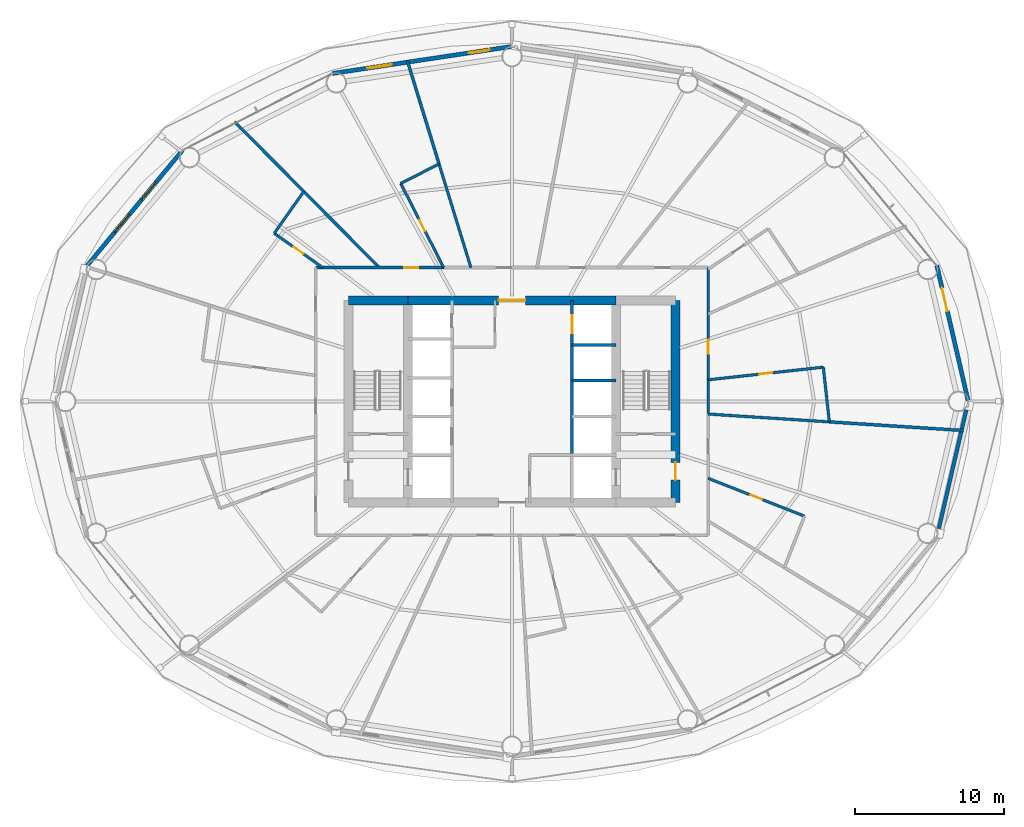
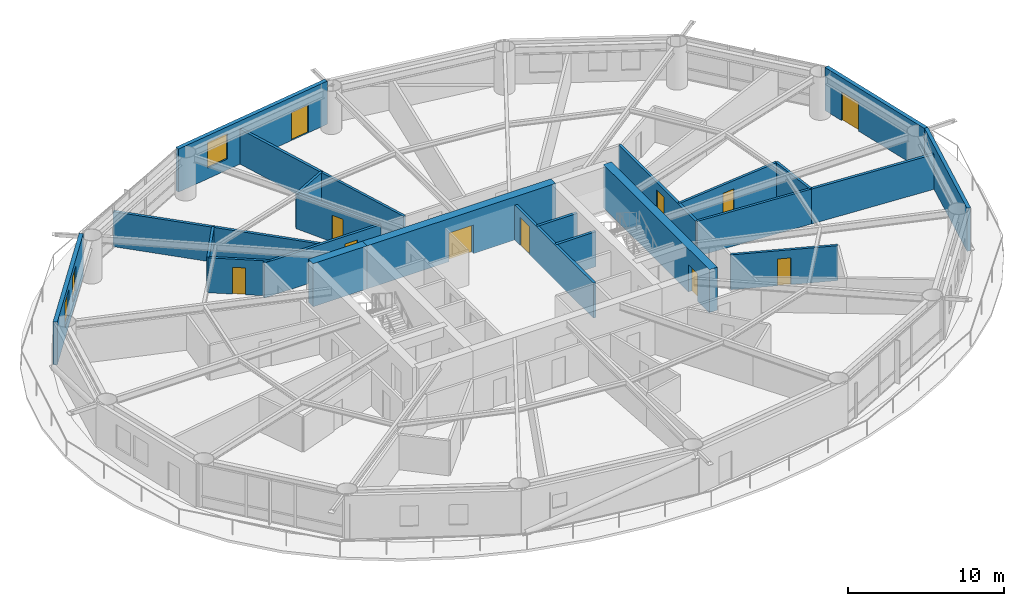
# One storey, part 22 of 26: 24 walls, 11 doors, 3 windows, 14 openings.
"""IFC4 building model written with IfcOpenShell, lengths in metres."""

from ifc_helpers import new_model, si_unit, direction, frame, frame_2d, origin, place, context, subcontext, project, spatial, rectangle, extrude, material, layer, layer_set, type_object, element, fill, save


model = new_model("IFC4")

# Units and contexts
model_context = context("Model", 3, precision=1e-05, world=origin(), true_north=direction((0.0, 1.0)))
body_context = subcontext(model_context, "Body", "Model", "MODEL_VIEW")
ifc_project = project(units=[si_unit("LENGTHUNIT", "METRE"), si_unit("AREAUNIT", "SQUARE_METRE"), si_unit("VOLUMEUNIT", "CUBIC_METRE"), si_unit("PLANEANGLEUNIT", "RADIAN"), si_unit("MASSUNIT", "GRAM", prefix="KILO")], contexts=[model_context])

# Site, building, storey
site_placement = place(None, origin())
site = spatial("IfcSite", under=ifc_project, at=site_placement, CompositionType="ELEMENT")
building_placement = place(site_placement, origin())
building = spatial("IfcBuilding", under=site, at=building_placement, Name="Sarneth Arch Tower", CompositionType="ELEMENT")
storey_placement = place(building_placement, frame((0.0, 0.0, 53.39990234375)))
storey = spatial("IfcBuildingStorey", under=building, at=storey_placement, Name="L12", CompositionType="ELEMENT", Elevation=53.39990234375)

# Wall
ifc_material_1 = material(Name="Concrete C60/75", Category="concrete")
ifc_layer_1 = layer(ifc_material_1, 0.60009765625)
ifc_layer_set_1 = layer_set([ifc_layer_1], Name="Concrete C60/75")
wall_type_1 = type_object("IfcWallType", Name="WALL-CORE-600", PredefinedType="SHEAR", material=ifc_layer_set_1)
wall_1_placement = place(storey_placement, frame((37.0, 48.800048828125, 0.0), z_axis=(0.0, 0.0, 1.0), x_axis=(1.0, 0.0, 0.0)))
element("IfcWall", 1, at=wall_1_placement, inside=storey, type_object=wall_type_1, Name="L12 Core shear wall N-W", PredefinedType="SHEAR", context=body_context, shape_type="SweptSolid", body=[
    extrude(rectangle(XDim=4.0, YDim=0.60009765625, at=frame_2d((2.0, 0.0))), origin(), (0.0, 0.0, 1.0), 3.380126953125),
])

# Wall, opening, door
wall_2_placement = place(storey_placement, frame((41.0, 48.800048828125, 0.0), z_axis=(0.0, 0.0, 1.0), x_axis=(1.0, 0.0, 0.0)))
wall_2 = element("IfcWall", 2, at=wall_2_placement, inside=storey, type_object=wall_type_1, Name="L12 Core shear wall N-M", PredefinedType="SHEAR", context=body_context, shape_type="SweptSolid", body=[
    extrude(rectangle(XDim=14.0, YDim=0.60009765625, at=frame_2d((7.0, 0.0))), origin(), (0.0, 0.0, 1.0), 3.380126953125),
])
opening_1_placement = place(wall_2_placement, frame((6.10009765625, 0.0, 0.0)))
opening_1 = element("IfcOpeningElement", 3, at=opening_1_placement, cuts=wall_2, Name="Opening FD-01", PredefinedType="OPENING", context=body_context, shape_type="SweptSolid", body=[
    extrude(rectangle(XDim=1.800048828125, YDim=2.25, at=frame_2d((0.89990234375, 1.125))), frame((0.0, 0.31005859375, 0.0), z_axis=(0.0, -1.0, 0.0), x_axis=(1.0, 0.0, 0.0)), (0.0, 0.0, 1.0), 0.6201171875),
])
ifc_material_2 = material(Name="Galvanised Steel S275 fire door set", Category="steel")
door_type_1 = type_object("IfcDoorType", Name="DR-FD90-1800", OperationType="DOUBLE_DOOR_SINGLE_SWING", PredefinedType="DOOR", material=ifc_material_2)
door_1_placement = place(opening_1_placement, origin())
door_1 = element("IfcDoor", 4, at=door_1_placement, inside=storey, type_object=door_type_1, Name="L12 Central lift lobby north door", OperationType="DOUBLE_DOOR_SINGLE_SWING", OverallHeight=2.25, OverallWidth=1.800048828125, PredefinedType="DOOR", context=body_context, shape_type="SweptSolid", body=[
    extrude(rectangle(XDim=1.800048828125, YDim=2.25, at=frame_2d((0.89990234375, 1.125))), frame((0.0, 0.02490234375, 0.0), z_axis=(0.0, -1.0, 0.0), x_axis=(1.0, 0.0, 0.0)), (0.0, 0.0, 1.0), 0.050048828125),
])
fill(opening_1, door_1)

wall_3_placement = place(storey_placement, frame((59.0, 35.199951171875, 0.0), z_axis=(0.0, 0.0, 1.0), x_axis=(0.0, 1.0, 0.0)))
wall_3 = element("IfcWall", 5, at=wall_3_placement, inside=storey, type_object=wall_type_1, Name="L12 Core shear wall E", PredefinedType="SHEAR", context=body_context, shape_type="SweptSolid", body=[
    extrude(rectangle(XDim=13.60009765625, YDim=0.60009765625, at=frame_2d((6.800048828125, 0.0))), origin(), (0.0, 0.0, 1.0), 3.380126953125),
])
opening_2_placement = place(wall_3_placement, frame((1.5, 0.0, 0.0)))
opening_2 = element("IfcOpeningElement", 6, at=opening_2_placement, cuts=wall_3, Name="Opening FD-02", PredefinedType="OPENING", context=body_context, shape_type="SweptSolid", body=[
    extrude(rectangle(XDim=1.199951171875, YDim=2.14990234375, at=frame_2d((0.60009765625, 1.074951171875))), frame((0.0, 0.31005859375, 0.0), z_axis=(0.0, -1.0, 0.0), x_axis=(1.0, 0.0, 0.0)), (0.0, 0.0, 1.0), 0.6201171875),
])
ifc_material_3 = material(Name="Galvanised Steel S275 fire door set", Category="steel")
door_type_2 = type_object("IfcDoorType", Name="DR-FD90-1200", OperationType="SINGLE_SWING_LEFT", PredefinedType="DOOR", material=ifc_material_3)
door_2_placement = place(opening_2_placement, origin())
door_2 = element("IfcDoor", 7, at=door_2_placement, inside=storey, type_object=door_type_2, Name="L12 Firefighting lobby 2 exit door", OperationType="SINGLE_SWING_RIGHT", OverallHeight=2.14990234375, OverallWidth=1.199951171875, PredefinedType="DOOR", context=body_context, shape_type="SweptSolid", body=[
    extrude(rectangle(XDim=1.199951171875, YDim=2.14990234375, at=frame_2d((0.60009765625, 1.074951171875))), frame((0.0, 0.02490234375, 0.0), z_axis=(0.0, -1.0, 0.0), x_axis=(1.0, 0.0, 0.0)), (0.0, 0.0, 1.0), 0.050048828125),
])
fill(opening_2, door_2)

ifc_material_4 = material(Name="Double steel-stud corridor fire wall", Category="steel")
ifc_layer_2 = layer(ifc_material_4, 0.18994140625)
ifc_layer_set_2 = layer_set([ifc_layer_2], Name="Double steel-stud corridor fire wall")
wall_type_2 = type_object("IfcWallType", Name="WALL-CORR-190", PredefinedType="PARTITIONING", material=ifc_layer_set_2)
wall_4_placement = place(storey_placement, frame((61.199951171875, 51.0, 0.0), z_axis=(0.0, 0.0, 1.0), x_axis=(0.0, -1.0, 0.0)))
wall_4 = element("IfcWall", 8, at=wall_4_placement, inside=storey, type_object=wall_type_2, Name="L12 Interior partition W-L12-TP-026", PredefinedType="PARTITIONING", context=body_context, shape_type="SweptSolid", body=[
    extrude(rectangle(XDim=9.851806640625, YDim=0.18994140625, at=frame_2d((4.92578125, 0.0))), origin(), (0.0, 0.0, 1.0), 2.739990234375),
])
opening_3_placement = place(wall_4_placement, frame((4.859130859375, 0.0, 0.0)))
opening_3 = element("IfcOpeningElement", 9, at=opening_3_placement, cuts=wall_4, Name="Opening FD-09", PredefinedType="OPENING", context=body_context, shape_type="SweptSolid", body=[
    extrude(rectangle(XDim=0.949951171875, YDim=2.14990234375, at=frame_2d((0.47509765625, 1.074951171875))), frame((0.0, 0.10498046875, 0.0), z_axis=(0.0, -1.0, 0.0), x_axis=(1.0, 0.0, 0.0)), (0.0, 0.0, 1.0), 0.2099609375),
])
ifc_material_5 = material(Name="Hardwood timber hotel entrance fire door", Category="wood")
door_type_3 = type_object("IfcDoorType", Name="DR-FD60-950", OperationType="SINGLE_SWING_RIGHT", PredefinedType="DOOR", material=ifc_material_5)
door_3_placement = place(opening_3_placement, origin())
door_3 = element("IfcDoor", 10, at=door_3_placement, inside=storey, type_object=door_type_3, Name="L12 Interior door DR-L12-KEY-13", OperationType="SINGLE_SWING_RIGHT", OverallHeight=2.14990234375, OverallWidth=0.949951171875, PredefinedType="DOOR", context=body_context, shape_type="SweptSolid", body=[
    extrude(rectangle(XDim=0.949951171875, YDim=2.14990234375, at=frame_2d((0.47509765625, 1.074951171875))), frame((0.0, 0.02490234375, 0.0), z_axis=(0.0, -1.0, 0.0), x_axis=(1.0, 0.0, 0.0)), (0.0, 0.0, 1.0), 0.050048828125),
])
fill(opening_3, door_3)

wall_5_placement = place(storey_placement, frame((34.800048828125, 51.0, 0.0), z_axis=(0.0, 0.0, 1.0), x_axis=(1.0, 0.0, 0.0)))
wall_5 = element("IfcWall", 11, at=wall_5_placement, inside=storey, type_object=wall_type_2, Name="L12 Interior partition W-L12-TP-006", PredefinedType="PARTITIONING", context=body_context, shape_type="SweptSolid", body=[
    extrude(rectangle(XDim=8.640869140625, YDim=0.18994140625, at=frame_2d((4.3203125, 0.0))), origin(), (0.0, 0.0, 1.0), 2.739990234375),
])
opening_4_placement = place(wall_5_placement, frame((5.958984375, 0.0, 0.0)))
opening_4 = element("IfcOpeningElement", 12, at=opening_4_placement, cuts=wall_5, Name="Opening FD-09", PredefinedType="OPENING", context=body_context, shape_type="SweptSolid", body=[
    extrude(rectangle(XDim=0.949951171875, YDim=2.14990234375, at=frame_2d((0.47509765625, 1.074951171875))), frame((0.0, 0.10498046875, 0.0), z_axis=(0.0, -1.0, 0.0), x_axis=(1.0, 0.0, 0.0)), (0.0, 0.0, 1.0), 0.2099609375),
])
door_4_placement = place(opening_4_placement, origin())
door_4 = element("IfcDoor", 13, at=door_4_placement, inside=storey, type_object=door_type_3, Name="L12 Interior door DR-L12-KEY-04", OperationType="SINGLE_SWING_RIGHT", OverallHeight=2.14990234375, OverallWidth=0.949951171875, PredefinedType="DOOR", context=body_context, shape_type="SweptSolid", body=[
    extrude(rectangle(XDim=0.949951171875, YDim=2.14990234375, at=frame_2d((0.47509765625, 1.074951171875))), frame((0.0, 0.02490234375, 0.0), z_axis=(0.0, -1.0, 0.0), x_axis=(1.0, 0.0, 0.0)), (0.0, 0.0, 1.0), 0.050048828125),
])
fill(opening_4, door_4)

# Wall
ifc_material_6 = material(Name="Extruded terracotta rainscreen on Concrete C40/50 backing", Category="masonry")
ifc_layer_3 = layer(ifc_material_6, 0.25)
ifc_layer_set_3 = layer_set([ifc_layer_3], Name="Extruded terracotta rainscreen on Concrete C40/50 backing")
wall_type_3 = type_object("IfcWallType", Name="WALL-EXT-SPAND-250", PredefinedType="SOLIDWALL", material=ifc_layer_set_3)
wall_6_placement = place(storey_placement, frame((76.5810546875, 32.861572265625, 0.0), z_axis=(0.0, 0.0, 1.0), x_axis=(0.225454452941, 0.974253709076, 0.0)))
element("IfcWall", 14, at=wall_6_placement, inside=storey, type_object=wall_type_3, Name="L12 Terracotta perimeter wall 16", PredefinedType="SOLIDWALL", context=body_context, shape_type="SweptSolid", body=[
    extrude(rectangle(XDim=9.3798828125, YDim=0.25, at=frame_2d((4.68994140625, 0.0))), origin(), (0.0, 0.0, 1.0), 3.380126953125),
])

# Wall, opening, door
ifc_material_7 = material(Name="Extruded terracotta rainscreen on Concrete C40/50 backing", Category="masonry")
ifc_layer_4 = layer(ifc_material_7, 0.280029296875)
ifc_layer_set_4 = layer_set([ifc_layer_4], Name="Extruded terracotta rainscreen on Concrete C40/50 backing")
wall_type_4 = type_object("IfcWallType", Name="WALL-EXT-TERRA-280", PredefinedType="SOLIDWALL", material=ifc_layer_set_4)
wall_7_placement = place(storey_placement, frame((78.69580078125, 42.0, 0.0), z_axis=(0.0, 0.0, 1.0), x_axis=(-0.225454452941, 0.974253709076, 0.0)))
wall_7 = element("IfcWall", 15, at=wall_7_placement, inside=storey, type_object=wall_type_4, Name="L12 Terracotta perimeter wall 01", PredefinedType="SOLIDWALL", context=body_context, shape_type="SweptSolid", body=[
    extrude(rectangle(XDim=9.3798828125, YDim=0.280029296875, at=frame_2d((4.68994140625, 0.0))), origin(), (0.0, 0.0, 1.0), 3.380126953125),
])
opening_5_placement = place(wall_7_placement, frame((6.235107421875, 0.0, 0.0)))
opening_5 = element("IfcOpeningElement", 16, at=opening_5_placement, cuts=wall_7, Name="Opening BD-1", PredefinedType="OPENING", context=body_context, shape_type="SweptSolid", body=[
    extrude(rectangle(XDim=1.60009765625, YDim=2.25, at=frame_2d((0.800048828125, 1.125))), frame((0.0, 0.14990234375, 0.0), z_axis=(0.0, -1.0, 0.0), x_axis=(1.0, 0.0, 0.0)), (0.0, 0.0, 1.0), 0.300048828125),
])
ifc_material_8 = material(Name="Thermally broken Aluminium 6063-T6 and laminated safety glass", Category="aluminium")
door_type_4 = type_object("IfcDoorType", Name="DR-BALC-GLZ-1600", OperationType="DOUBLE_DOOR_SINGLE_SWING", PredefinedType="DOOR", material=ifc_material_8)
door_5_placement = place(opening_5_placement, origin())
door_5 = element("IfcDoor", 17, at=door_5_placement, inside=storey, type_object=door_type_4, Name="L12 Balcony glazed door 01", OperationType="DOUBLE_DOOR_SINGLE_SWING", OverallHeight=2.25, OverallWidth=1.60009765625, PredefinedType="DOOR", context=body_context, shape_type="SweptSolid", body=[
    extrude(rectangle(XDim=1.60009765625, YDim=2.25, at=frame_2d((0.800048828125, 1.125))), frame((0.0, 0.02490234375, 0.0), z_axis=(0.0, -1.0, 0.0), x_axis=(1.0, 0.0, 0.0)), (0.0, 0.0, 1.0), 0.050048828125),
])
fill(opening_5, door_5)

# Wall, openings, door, window
wall_8_placement = place(storey_placement, frame((48.0, 65.8798828125, 0.0), z_axis=(0.0, 0.0, 1.0), x_axis=(-0.988864835849, -0.148816452121, 0.0)))
wall_8 = element("IfcWall", 18, at=wall_8_placement, inside=storey, type_object=wall_type_4, Name="L12 Terracotta perimeter wall 05", PredefinedType="SOLIDWALL", context=body_context, shape_type="SweptSolid", body=[
    extrude(rectangle(XDim=12.2138671875, YDim=0.280029296875, at=frame_2d((6.10693359375, 0.0))), origin(), (0.0, 0.0, 1.0), 3.380126953125),
])
opening_6_placement = place(wall_8_placement, frame((1.53125, 0.0, 0.0)))
opening_6 = element("IfcOpeningElement", 19, at=opening_6_placement, cuts=wall_8, Name="Opening BD-2", PredefinedType="OPENING", context=body_context, shape_type="SweptSolid", body=[
    extrude(rectangle(XDim=1.39990234375, YDim=2.199951171875, at=frame_2d((0.699951171875, 1.10009765625))), frame((0.0, 0.14990234375, 0.0), z_axis=(0.0, -1.0, 0.0), x_axis=(1.0, 0.0, 0.0)), (0.0, 0.0, 1.0), 0.300048828125),
])
opening_7_placement = place(wall_8_placement, frame((8.17919921875, 0.0, 0.85009765625)))
opening_7 = element("IfcOpeningElement", 20, at=opening_7_placement, cuts=wall_8, Name="Opening W-05", PredefinedType="OPENING", context=body_context, shape_type="SweptSolid", body=[
    extrude(rectangle(XDim=1.64990234375, YDim=2.0, at=frame_2d((0.824951171875, 1.0))), frame((0.0, 0.14990234375, 0.0), z_axis=(0.0, -1.0, 0.0), x_axis=(1.0, 0.0, 0.0)), (0.0, 0.0, 1.0), 0.300048828125),
])
ifc_material_9 = material(Name="Thermally broken Aluminium 6063-T6 and laminated safety glass", Category="aluminium")
door_type_5 = type_object("IfcDoorType", Name="DR-BALC-GLZ-1400", OperationType="SINGLE_SWING_LEFT", PredefinedType="DOOR", material=ifc_material_9)
door_6_placement = place(opening_6_placement, origin())
door_6 = element("IfcDoor", 21, at=door_6_placement, inside=storey, type_object=door_type_5, Name="L12 Balcony glazed door 05", OperationType="SINGLE_SWING_LEFT", OverallHeight=2.199951171875, OverallWidth=1.39990234375, PredefinedType="DOOR", context=body_context, shape_type="SweptSolid", body=[
    extrude(rectangle(XDim=1.39990234375, YDim=2.199951171875, at=frame_2d((0.699951171875, 1.10009765625))), frame((0.0, 0.02490234375, 0.0), z_axis=(0.0, -1.0, 0.0), x_axis=(1.0, 0.0, 0.0)), (0.0, 0.0, 1.0), 0.050048828125),
])
fill(opening_6, door_6)
ifc_material_10 = material(Name="Thermally broken Aluminium 6063-T6 and low-e laminated IGU", Category="aluminium")
window_type_1 = type_object("IfcWindowType", Name="WIN-TWR-1650x2000", PartitioningType="DOUBLE_PANEL_VERTICAL", PredefinedType="WINDOW", material=ifc_material_10)
window_1_placement = place(opening_7_placement, origin())
window_1 = element("IfcWindow", 22, at=window_1_placement, inside=storey, type_object=window_type_1, Name="L12 Exterior window 05A", OverallHeight=2.0, OverallWidth=1.64990234375, PartitioningType="SINGLE_PANEL", PredefinedType="WINDOW", context=body_context, shape_type="SweptSolid", body=[
    extrude(rectangle(XDim=1.64990234375, YDim=2.0, at=frame_2d((0.824951171875, 1.0))), frame((0.0, 0.030029296875, 0.0), z_axis=(0.0, -1.0, 0.0), x_axis=(1.0, 0.0, 0.0)), (0.0, 0.0, 1.0), 0.06005859375),
])
fill(opening_7, window_1)

# Wall, openings, windows
wall_9_placement = place(storey_placement, frame((25.825927734375, 58.8857421875, 0.0), z_axis=(0.0, 0.0, 1.0), x_axis=(-0.637296809613, -0.770618437657, 0.0)))
wall_9 = element("IfcWall", 23, at=wall_9_placement, inside=storey, type_object=wall_type_4, Name="L12 Terracotta perimeter wall 07", PredefinedType="SOLIDWALL", context=body_context, shape_type="SweptSolid", body=[
    extrude(rectangle(XDim=10.053466796875, YDim=0.280029296875, at=frame_2d((5.02685546875, 0.0))), origin(), (0.0, 0.0, 1.0), 3.380126953125),
])
opening_8_placement = place(wall_9_placement, frame((2.798095703125, 0.0, 0.85009765625)))
opening_8 = element("IfcOpeningElement", 24, at=opening_8_placement, cuts=wall_9, Name="Opening W-06", PredefinedType="OPENING", context=body_context, shape_type="SweptSolid", body=[
    extrude(rectangle(XDim=1.5, YDim=2.0, at=frame_2d((0.75, 1.0))), frame((0.0, 0.14990234375, 0.0), z_axis=(0.0, -1.0, 0.0), x_axis=(1.0, 0.0, 0.0)), (0.0, 0.0, 1.0), 0.300048828125),
])
opening_9_placement = place(wall_9_placement, frame((5.6298828125, 0.0, 0.85009765625)))
opening_9 = element("IfcOpeningElement", 25, at=opening_9_placement, cuts=wall_9, Name="Opening W-06", PredefinedType="OPENING", context=body_context, shape_type="SweptSolid", body=[
    extrude(rectangle(XDim=1.5, YDim=2.0, at=frame_2d((0.75, 1.0))), frame((0.0, 0.14990234375, 0.0), z_axis=(0.0, -1.0, 0.0), x_axis=(1.0, 0.0, 0.0)), (0.0, 0.0, 1.0), 0.300048828125),
])
ifc_material_11 = material(Name="Thermally broken Aluminium 6063-T6 and low-e laminated IGU", Category="aluminium")
window_type_2 = type_object("IfcWindowType", Name="WIN-TWR-1500x2000", PartitioningType="SINGLE_PANEL", PredefinedType="WINDOW", material=ifc_material_11)
window_2_placement = place(opening_8_placement, origin())
window_2 = element("IfcWindow", 26, at=window_2_placement, inside=storey, type_object=window_type_2, Name="L12 Exterior window 07A", OverallHeight=2.0, OverallWidth=1.5, PartitioningType="SINGLE_PANEL", PredefinedType="WINDOW", context=body_context, shape_type="SweptSolid", body=[
    extrude(rectangle(XDim=1.5, YDim=2.0, at=frame_2d((0.75, 1.0))), frame((0.0, 0.030029296875, 0.0), z_axis=(0.0, -1.0, 0.0), x_axis=(1.0, 0.0, 0.0)), (0.0, 0.0, 1.0), 0.06005859375),
])
fill(opening_8, window_2)
window_3_placement = place(opening_9_placement, origin())
window_3 = element("IfcWindow", 27, at=window_3_placement, inside=storey, type_object=window_type_2, Name="L12 Exterior window 07B", OverallHeight=2.0, OverallWidth=1.5, PartitioningType="SINGLE_PANEL", PredefinedType="WINDOW", context=body_context, shape_type="SweptSolid", body=[
    extrude(rectangle(XDim=1.5, YDim=2.0, at=frame_2d((0.75, 1.0))), frame((0.0, 0.030029296875, 0.0), z_axis=(0.0, -1.0, 0.0), x_axis=(1.0, 0.0, 0.0)), (0.0, 0.0, 1.0), 0.06005859375),
])
fill(opening_9, window_3)

# Wall
ifc_material_12 = material(Name="Moisture-resistant plumbing chase wall", Category="gypsum")
ifc_layer_5 = layer(ifc_material_12, 0.179931640625)
ifc_layer_set_5 = layer_set([ifc_layer_5], Name="Moisture-resistant plumbing chase wall")
wall_type_5 = type_object("IfcWallType", Name="WALL-PLUMB-180", PredefinedType="PLUMBINGWALL", material=ifc_layer_set_5)
wall_10_placement = place(storey_placement, frame((69.34912109375, 40.622314453125, 0.0), z_axis=(0.0, 0.0, 1.0), x_axis=(-0.997924317455, 0.064397644621, 0.0)))
element("IfcWall", 28, at=wall_10_placement, inside=storey, type_object=wall_type_5, Name="L12 Interior partition W-L12-TP-068", PredefinedType="PLUMBINGWALL", context=body_context, shape_type="SweptSolid", body=[
    extrude(rectangle(XDim=8.166015625, YDim=0.179931640625, at=frame_2d((4.0830078125, 0.0))), origin(), (0.0, 0.0, 1.0), 2.739990234375),
])

# Wall, opening, door
wall_11_placement = place(storey_placement, frame((61.199951171875, 43.451904296875, 0.0), z_axis=(0.0, 0.0, 1.0), x_axis=(0.994005037085, 0.109334286708, 0.0)))
wall_11 = element("IfcWall", 29, at=wall_11_placement, inside=storey, type_object=wall_type_5, Name="L12 Interior partition W-L12-TP-069", PredefinedType="PLUMBINGWALL", context=body_context, shape_type="SweptSolid", body=[
    extrude(rectangle(XDim=7.790771484375, YDim=0.179931640625, at=frame_2d((3.8955078125, 0.0))), origin(), (0.0, 0.0, 1.0), 2.739990234375),
])
opening_10_placement = place(wall_11_placement, frame((3.470458984375, 0.0, 0.0)))
opening_10 = element("IfcOpeningElement", 30, at=opening_10_placement, cuts=wall_11, Name="Opening ID-02", PredefinedType="OPENING", context=body_context, shape_type="SweptSolid", body=[
    extrude(rectangle(XDim=0.85009765625, YDim=2.10009765625, at=frame_2d((0.425048828125, 1.050048828125))), frame((0.0, 0.099853515625, 0.0), z_axis=(0.0, -1.0, 0.0), x_axis=(1.0, 0.0, 0.0)), (0.0, 0.0, 1.0), 0.199951171875),
])
ifc_material_13 = material(Name="Moisture-resistant bathroom timber door", Category="wood")
door_type_6 = type_object("IfcDoorType", Name="DR-INT-850", OperationType="SINGLE_SWING_RIGHT", PredefinedType="DOOR", material=ifc_material_13)
door_7_placement = place(opening_10_placement, origin())
door_7 = element("IfcDoor", 31, at=door_7_placement, inside=storey, type_object=door_type_6, Name="L12 Interior door DR-L12-ENS-13", OperationType="SINGLE_SWING_LEFT", OverallHeight=2.10009765625, OverallWidth=0.85009765625, PredefinedType="DOOR", context=body_context, shape_type="SweptSolid", body=[
    extrude(rectangle(XDim=0.85009765625, YDim=2.10009765625, at=frame_2d((0.425048828125, 1.050048828125))), frame((0.0, 0.02490234375, 0.0), z_axis=(0.0, -1.0, 0.0), x_axis=(1.0, 0.0, 0.0)), (0.0, 0.0, 1.0), 0.050048828125),
])
fill(opening_10, door_7)

# Wall
wall_12_placement = place(storey_placement, frame((43.092041015625, 57.976318359375, 0.0), z_axis=(0.0, 0.0, 1.0), x_axis=(0.293648581073, -0.95591344317, 0.0)))
element("IfcWall", 32, at=wall_12_placement, inside=storey, type_object=wall_type_5, Name="L12 Interior partition W-L12-TP-035", PredefinedType="PLUMBINGWALL", context=body_context, shape_type="SweptSolid", body=[
    extrude(rectangle(XDim=7.298095703125, YDim=0.179931640625, at=frame_2d((3.64892578125, 0.0))), origin(), (0.0, 0.0, 1.0), 2.739990234375),
])

# Wall, opening, door
wall_13_placement = place(storey_placement, frame((61.199951171875, 36.822998046875, 0.0), z_axis=(0.0, 0.0, 1.0), x_axis=(0.930954264603, -0.365135806539, 0.0)))
wall_13 = element("IfcWall", 33, at=wall_13_placement, inside=storey, type_object=wall_type_5, Name="L12 Interior partition W-L12-TP-065", PredefinedType="PLUMBINGWALL", context=body_context, shape_type="SweptSolid", body=[
    extrude(rectangle(XDim=6.961181640625, YDim=0.179931640625, at=frame_2d((3.48046875, 0.0))), origin(), (0.0, 0.0, 1.0), 2.739990234375),
])
opening_11_placement = place(wall_13_placement, frame((3.055419921875, 0.0, 0.0)))
opening_11 = element("IfcOpeningElement", 34, at=opening_11_placement, cuts=wall_13, Name="Opening ID-02", PredefinedType="OPENING", context=body_context, shape_type="SweptSolid", body=[
    extrude(rectangle(XDim=0.85009765625, YDim=2.10009765625, at=frame_2d((0.425048828125, 1.050048828125))), frame((0.0, 0.099853515625, 0.0), z_axis=(0.0, -1.0, 0.0), x_axis=(1.0, 0.0, 0.0)), (0.0, 0.0, 1.0), 0.199951171875),
])
door_8_placement = place(opening_11_placement, origin())
door_8 = element("IfcDoor", 35, at=door_8_placement, inside=storey, type_object=door_type_6, Name="L12 Interior door DR-L12-ENS-12", OperationType="SINGLE_SWING_LEFT", OverallHeight=2.10009765625, OverallWidth=0.85009765625, PredefinedType="DOOR", context=body_context, shape_type="SweptSolid", body=[
    extrude(rectangle(XDim=0.85009765625, YDim=2.10009765625, at=frame_2d((0.425048828125, 1.050048828125))), frame((0.0, 0.02490234375, 0.0), z_axis=(0.0, -1.0, 0.0), x_axis=(1.0, 0.0, 0.0)), (0.0, 0.0, 1.0), 0.050048828125),
])
fill(opening_11, door_8)

wall_14_placement = place(storey_placement, frame((43.405029296875, 51.0, 0.0), z_axis=(0.0, 0.0, 1.0), x_axis=(-0.454680565764, 0.890654581259, 0.0)))
wall_14 = element("IfcWall", 36, at=wall_14_placement, inside=storey, type_object=wall_type_5, Name="L12 Interior partition W-L12-TP-036", PredefinedType="PLUMBINGWALL", context=body_context, shape_type="SweptSolid", body=[
    extrude(rectangle(XDim=6.35595703125, YDim=0.179931640625, at=frame_2d((3.177978515625, 0.0))), origin(), (0.0, 0.0, 1.0), 2.739990234375),
])
opening_12_placement = place(wall_14_placement, frame((2.7529296875, 0.0, 0.0)))
opening_12 = element("IfcOpeningElement", 37, at=opening_12_placement, cuts=wall_14, Name="Opening ID-02", PredefinedType="OPENING", context=body_context, shape_type="SweptSolid", body=[
    extrude(rectangle(XDim=0.85009765625, YDim=2.10009765625, at=frame_2d((0.425048828125, 1.050048828125))), frame((0.0, 0.099853515625, 0.0), z_axis=(0.0, -1.0, 0.0), x_axis=(1.0, 0.0, 0.0)), (0.0, 0.0, 1.0), 0.199951171875),
])
door_9_placement = place(opening_12_placement, origin())
door_9 = element("IfcDoor", 38, at=door_9_placement, inside=storey, type_object=door_type_6, Name="L12 Interior door DR-L12-ENS-04", OperationType="SINGLE_SWING_RIGHT", OverallHeight=2.10009765625, OverallWidth=0.85009765625, PredefinedType="DOOR", context=body_context, shape_type="SweptSolid", body=[
    extrude(rectangle(XDim=0.85009765625, YDim=2.10009765625, at=frame_2d((0.425048828125, 1.050048828125))), frame((0.0, 0.02490234375, 0.0), z_axis=(0.0, -1.0, 0.0), x_axis=(1.0, 0.0, 0.0)), (0.0, 0.0, 1.0), 0.050048828125),
])
fill(opening_12, door_9)

wall_15_placement = place(storey_placement, frame((32.0048828125, 53.30908203125, 0.0), z_axis=(0.0, 0.0, 1.0), x_axis=(0.816524416543, -0.577310901672, 0.0)))
wall_15 = element("IfcWall", 39, at=wall_15_placement, inside=storey, type_object=wall_type_5, Name="L12 Interior partition W-L12-TP-041", PredefinedType="PLUMBINGWALL", context=body_context, shape_type="SweptSolid", body=[
    extrude(rectangle(XDim=3.999755859375, YDim=0.179931640625, at=frame_2d((2.0, 0.0))), origin(), (0.0, 0.0, 1.0), 2.739990234375),
])
opening_13_placement = place(wall_15_placement, frame((1.574951171875, 0.0, 0.0)))
opening_13 = element("IfcOpeningElement", 40, at=opening_13_placement, cuts=wall_15, Name="Opening ID-02", PredefinedType="OPENING", context=body_context, shape_type="SweptSolid", body=[
    extrude(rectangle(XDim=0.85009765625, YDim=2.10009765625, at=frame_2d((0.425048828125, 1.050048828125))), frame((0.0, 0.099853515625, 0.0), z_axis=(0.0, -1.0, 0.0), x_axis=(1.0, 0.0, 0.0)), (0.0, 0.0, 1.0), 0.199951171875),
])
door_10_placement = place(opening_13_placement, origin())
door_10 = element("IfcDoor", 41, at=door_10_placement, inside=storey, type_object=door_type_6, Name="L12 Interior door DR-L12-ENS-05", OperationType="SINGLE_SWING_RIGHT", OverallHeight=2.10009765625, OverallWidth=0.85009765625, PredefinedType="DOOR", context=body_context, shape_type="SweptSolid", body=[
    extrude(rectangle(XDim=0.85009765625, YDim=2.10009765625, at=frame_2d((0.425048828125, 1.050048828125))), frame((0.0, 0.02490234375, 0.0), z_axis=(0.0, -1.0, 0.0), x_axis=(1.0, 0.0, 0.0)), (0.0, 0.0, 1.0), 0.050048828125),
])
fill(opening_13, door_10)

# Walls
wall_16_placement = place(storey_placement, frame((68.944091796875, 44.3037109375, 0.0), z_axis=(0.0, 0.0, 1.0), x_axis=(0.109360669908, -0.994002134745, 0.0)))
element("IfcWall", 42, at=wall_16_placement, inside=storey, type_object=wall_type_5, Name="L12 Interior partition W-L12-TP-070", PredefinedType="PLUMBINGWALL", context=body_context, shape_type="SweptSolid", body=[
    extrude(rectangle(XDim=3.70361328125, YDim=0.179931640625, at=frame_2d((1.851806640625, 0.0))), origin(), (0.0, 0.0, 1.0), 2.739990234375),
])
wall_17_placement = place(storey_placement, frame((33.99267578125, 56.12060546875, 0.0), z_axis=(0.0, 0.0, 1.0), x_axis=(-0.57730102799, -0.816531397487, 0.0)))
element("IfcWall", 43, at=wall_17_placement, inside=storey, type_object=wall_type_5, Name="L12 Interior partition W-L12-TP-040", PredefinedType="PLUMBINGWALL", context=body_context, shape_type="SweptSolid", body=[
    extrude(rectangle(XDim=3.443359375, YDim=0.179931640625, at=frame_2d((1.7216796875, 0.0))), origin(), (0.0, 0.0, 1.0), 2.739990234375),
])
wall_18_placement = place(storey_placement, frame((40.51513671875, 56.660888671875, 0.0), z_axis=(0.0, 0.0, 1.0), x_axis=(0.890666340124, 0.454657531083, 0.0)))
element("IfcWall", 44, at=wall_18_placement, inside=storey, type_object=wall_type_5, Name="L12 Interior partition W-L12-TP-037", PredefinedType="PLUMBINGWALL", context=body_context, shape_type="SweptSolid", body=[
    extrude(rectangle(XDim=2.893310546875, YDim=0.179931640625, at=frame_2d((1.44677734375, 0.0))), origin(), (0.0, 0.0, 1.0), 2.739990234375),
])

# Wall, opening, door
ifc_material_14 = material(Name="Aerated concrete blockwork C25/30", Category="masonry")
ifc_layer_6 = layer(ifc_material_14, 0.199951171875)
ifc_layer_set_6 = layer_set([ifc_layer_6], Name="Aerated concrete blockwork C25/30")
wall_type_6 = type_object("IfcWallType", Name="WALL-SHAFT-200", PredefinedType="SOLIDWALL", material=ifc_layer_set_6)
wall_19_placement = place(storey_placement, frame((52.050048828125, 38.39990234375, 0.0), z_axis=(0.0, 0.0, 1.0), x_axis=(0.0, 1.0, 0.0)))
wall_19 = element("IfcWall", 45, at=wall_19_placement, inside=storey, type_object=wall_type_6, Name="L12 Interior partition W-L12-EASTBANK-FRONT", PredefinedType="SOLIDWALL", context=body_context, shape_type="SweptSolid", body=[
    extrude(rectangle(XDim=10.400146484375, YDim=0.199951171875, at=frame_2d((5.2001953125, 0.0))), origin(), (0.0, 0.0, 1.0), 2.739990234375),
])
opening_14_placement = place(wall_19_placement, frame((8.199951171875, 0.0, 0.0)))
opening_14 = element("IfcOpeningElement", 46, at=opening_14_placement, cuts=wall_19, Name="Opening LD-2", PredefinedType="OPENING", context=body_context, shape_type="SweptSolid", body=[
    extrude(rectangle(XDim=1.199951171875, YDim=2.199951171875, at=frame_2d((0.60009765625, 1.10009765625))), frame((0.0, 0.10986328125, 0.0), z_axis=(0.0, -1.0, 0.0), x_axis=(1.0, 0.0, 0.0)), (0.0, 0.0, 1.0), 0.219970703125),
])
ifc_material_15 = material(Name="Brushed Stainless Steel 304 service lift door", Category="steel")
door_type_7 = type_object("IfcDoorType", Name="DR-LIFT-SLIDE-1200", OperationType="SLIDING_TO_RIGHT", PredefinedType="DOOR", material=ifc_material_15)
door_11_placement = place(opening_14_placement, origin())
door_11 = element("IfcDoor", 47, at=door_11_placement, inside=storey, type_object=door_type_7, Name="L12 Lift landing door DR-L12-LD-SL1", OperationType="SLIDING_TO_RIGHT", OverallHeight=2.199951171875, OverallWidth=1.199951171875, PredefinedType="DOOR", context=body_context, shape_type="SweptSolid", body=[
    extrude(rectangle(XDim=1.199951171875, YDim=2.199951171875, at=frame_2d((0.60009765625, 1.10009765625))), frame((0.0, 0.02490234375, 0.0), z_axis=(0.0, -1.0, 0.0), x_axis=(1.0, 0.0, 0.0)), (0.0, 0.0, 1.0), 0.050048828125),
])
fill(opening_14, door_11)

# Walls
for number, where, z_axis, x_axis, name in (
    (48, (52.050048828125, 43.419921875, 0.0), (0.0, 0.0, 1.0), (1.0, 0.0, 0.0), "L12 Interior partition W-L12-EB-DIV-4342"),
    (49, (52.050048828125, 45.800048828125, 0.0), (0.0, 0.0, 1.0), (1.0, 0.0, 0.0), "L12 Interior partition W-L12-EB-DIV-4580"),
):
    element("IfcWall", number, at=place(storey_placement, frame(where, z_axis=z_axis, x_axis=x_axis)), inside=storey, type_object=wall_type_6, Name=name, PredefinedType="SOLIDWALL", context=body_context, shape_type="SweptSolid", body=[
        extrude(rectangle(XDim=2.949951171875, YDim=0.199951171875, at=frame_2d((1.47509765625, 0.0))), origin(), (0.0, 0.0, 1.0), 2.739990234375),
    ])
ifc_material_16 = material(Name="Double steel-stud acoustic drywall", Category="steel")
ifc_layer_7 = layer(ifc_material_16, 0.199951171875)
ifc_layer_set_7 = layer_set([ifc_layer_7], Name="Double steel-stud acoustic drywall")
wall_type_7 = type_object("IfcWallType", Name="WALL-UNIT-200", PredefinedType="PARTITIONING", material=ifc_layer_set_7)
wall_20_placement = place(storey_placement, frame((78.364013671875, 40.04052734375, 0.0), z_axis=(0.0, 0.0, 1.0), x_axis=(-0.997924020497, 0.064402246198, 0.0)))
element("IfcWall", 50, at=wall_20_placement, inside=storey, type_object=wall_type_7, Name="L12 Interior partition W-L12-TP-067", PredefinedType="PARTITIONING", context=body_context, shape_type="SweptSolid", body=[
    extrude(rectangle(XDim=9.03369140625, YDim=0.199951171875, at=frame_2d((4.516845703125, 0.0))), origin(), (0.0, 0.0, 1.0), 2.739990234375),
])
wall_21_placement = place(storey_placement, frame((40.953125, 64.939453125, 0.0), z_axis=(0.0, 0.0, 1.0), x_axis=(0.293635973675, -0.955917315966, 0.0)))
element("IfcWall", 51, at=wall_21_placement, inside=storey, type_object=wall_type_7, Name="L12 Interior partition W-L12-TP-034", PredefinedType="PARTITIONING", context=body_context, shape_type="SweptSolid", body=[
    extrude(rectangle(XDim=7.2841796875, YDim=0.199951171875, at=frame_2d((3.64208984375, 0.0))), origin(), (0.0, 0.0, 1.0), 2.739990234375),
])
wall_22_placement = place(storey_placement, frame((39.072265625, 51.0, 0.0), z_axis=(0.0, 0.0, 1.0), x_axis=(-0.704257683765, 0.70994444491, 0.0)))
element("IfcWall", 52, at=wall_22_placement, inside=storey, type_object=wall_type_7, Name="L12 Interior partition W-L12-TP-039", PredefinedType="PARTITIONING", context=body_context, shape_type="SweptSolid", body=[
    extrude(rectangle(XDim=13.823974609375, YDim=0.199951171875, at=frame_2d((6.912109375, 0.0))), origin(), (0.0, 0.0, 1.0), 2.739990234375),
])

save(model, "model.ifc")
